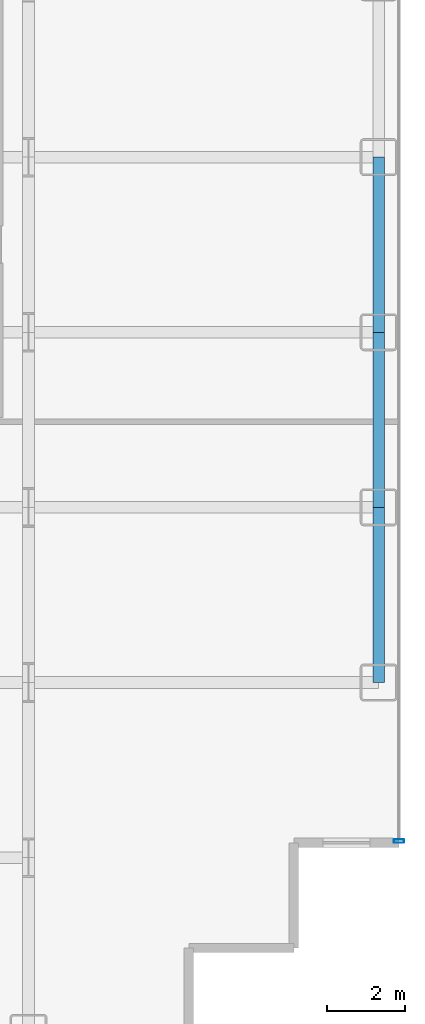
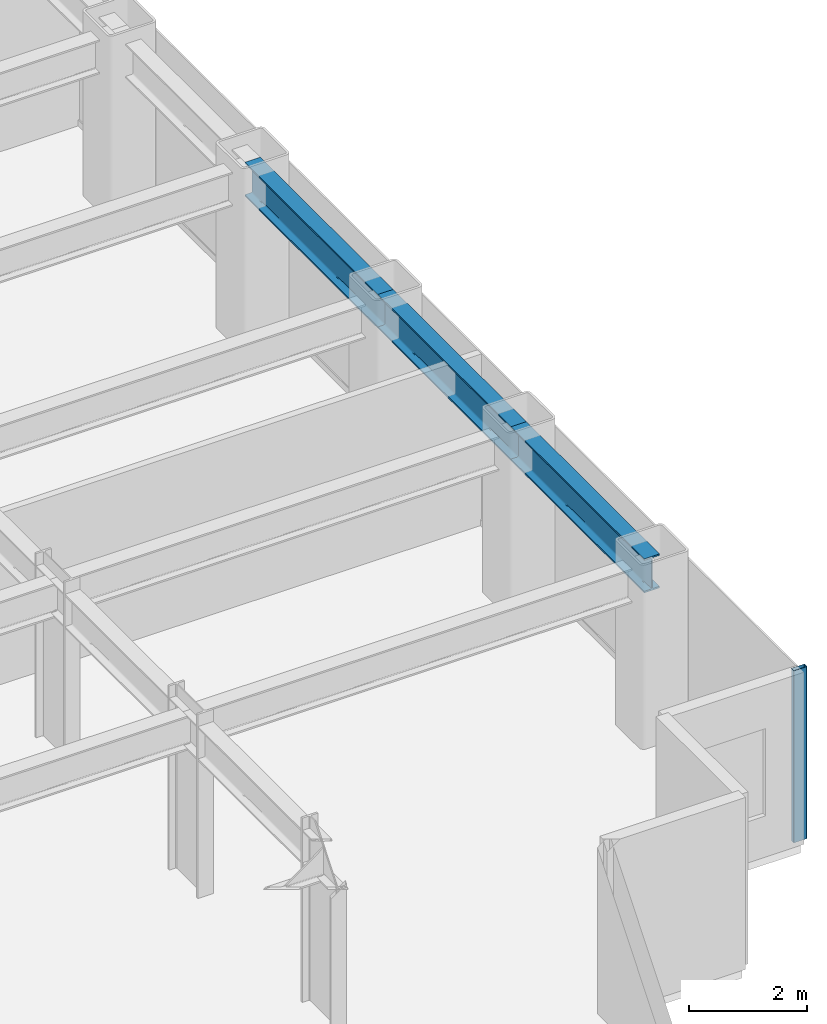
# One storey, part 16 of 26: 3 beams, 1 member, 1 element without a shape of its own.
"""IFC4 building model written with IfcOpenShell, lengths in metres."""

from ifc_helpers import new_model, si_unit, direction, frame, origin, origin_2d, place, context, subcontext, project, spatial, hollow_rectangle, i_section, extrude, source, transform, mapped, material, layer, layer_set, material_profile, profile_set, type_object, element, aggregate, save


model = new_model("IFC4")

# Units and contexts
model_context = context("Model", 3, precision=1e-05, world=origin(), true_north=direction((0.0, 1.0)))
body_context = subcontext(model_context, "Body", "Model", "MODEL_VIEW")
ifc_project = project(units=[si_unit("LENGTHUNIT", "METRE"), si_unit("AREAUNIT", "SQUARE_METRE"), si_unit("VOLUMEUNIT", "CUBIC_METRE"), si_unit("PLANEANGLEUNIT", "RADIAN"), si_unit("MASSUNIT", "GRAM", prefix="KILO")], contexts=[model_context])

# Site, building, storey
site_placement = place(None, origin())
site = spatial("IfcSite", under=ifc_project, at=site_placement, CompositionType="ELEMENT")
building_placement = place(site_placement, origin())
building = spatial("IfcBuilding", under=site, at=building_placement, Name="Nefas-Gora Pilgrimage Tower", CompositionType="ELEMENT")
storey_placement = place(building_placement, frame((0.0, 0.0, 94.60009765625)))
storey = spatial("IfcBuildingStorey", under=building, at=storey_placement, Name="L22", CompositionType="ELEMENT", Elevation=94.60009765625)

# Beams
ifc_material_1 = material(Name="Steel S355", Category="steel")
ifc_material_profile_1 = material_profile(ifc_material_1, i_section(OverallWidth=0.300048828125, OverallDepth=0.699951171875, WebThickness=0.01708984375, FlangeThickness=0.031982421875, FilletRadius=0.027099609375, at=origin_2d()), Name="HEB 700")
ifc_profile_set_1 = profile_set([ifc_material_profile_1], Name="Steel S355")
beam_type = type_object("IfcBeamType", Name="BM-SPN-HEB600", PredefinedType="SPANDREL", material=ifc_profile_set_1)
shared_shape_1 = source(origin(), body_context, "Body", "SweptSolid", [
    extrude(i_section(OverallWidth=0.300048828125, OverallDepth=0.699951171875, WebThickness=0.01708984375, FlangeThickness=0.031982421875, FilletRadius=0.027099609375, at=origin_2d()), origin(), (0.0, 0.0, 1.0), 4.5),
])
for number, where, z_axis, x_axis, name in (
    (1, (33.75, -13.5, 3.199951171875), (0.0, 1.0, 0.0), (-1.0, 0.0, 0.0), "L22 SP-01 beam"),
    (2, (33.75, -9.0, 3.199951171875), (0.0, 1.0, 0.0), (-1.0, 0.0, 0.0), "L22 SP-01 beam"),
    (3, (33.75, -4.5, 3.199951171875), (0.0, 1.0, 0.0), (-1.0, 0.0, 0.0), "L22 SP-01 beam"),
):
    element("IfcBeam", number, at=place(storey_placement, frame(where, z_axis=z_axis, x_axis=x_axis)), inside=storey, type_object=beam_type, Name=name, PredefinedType="SPANDREL", context=body_context, shape_type="MappedRepresentation", body=[
        mapped(shared_shape_1, transform((0.0, 0.0, 0.0), x_axis=(1.0, 0.0, 0.0), y_axis=(0.0, 1.0, 0.0), z_axis=(0.0, 0.0, 1.0), scale=1.0)),
    ])

# Curtain wall, member
ifc_material_2 = material(Name="Dark ceramic-fritted solar-control aluminium-glass curtain wall", Category="aluminium")
ifc_layer = layer(ifc_material_2, 0.219970703125)
ifc_layer_set = layer_set([ifc_layer], Name="Dark ceramic-fritted solar-control aluminium-glass curtain wall")
curtain_wall_type = type_object("IfcCurtainWallType", Name="CW-SYS-2", PredefinedType="NOTDEFINED", material=ifc_layer_set)
curtain_wall_placement = place(storey_placement, origin())
curtain_wall = element("IfcCurtainWall", 4, at=curtain_wall_placement, inside=storey, type_object=curtain_wall_type, Name="L22 Unitised Curtain Wall CW2", PredefinedType="NOTDEFINED")
ifc_material_3 = material(Name="Anodised architectural aluminium", Category="aluminium")
ifc_material_profile_2 = material_profile(ifc_material_3, hollow_rectangle(XDim=0.090087890625, YDim=0.260009765625, WallThickness=0.006103515625, InnerFilletRadius=0.006103515625, OuterFilletRadius=0.011962890625, at=origin_2d()), Name="ALU MULLION 90x260")
ifc_profile_set_2 = profile_set([ifc_material_profile_2], Name="Anodised architectural aluminium")
member_type = type_object("IfcMemberType", Name="CWM-MUL-2", PredefinedType="MULLION", material=ifc_profile_set_2)
shared_shape_2 = source(origin(), body_context, "Body", "SweptSolid", [
    extrude(hollow_rectangle(XDim=0.090087890625, YDim=0.260009765625, WallThickness=0.006103515625, InnerFilletRadius=0.006103515625, OuterFilletRadius=0.011962890625, at=origin_2d()), origin(), (0.0, 0.0, 1.0), 3.5498046875),
])
member_placement = place(storey_placement, frame((34.27001953125, -17.574951171875, 0.0), z_axis=(0.0, 0.0, 1.0), x_axis=(0.0, 1.0, 0.0)))
member = element("IfcMember", 5, at=member_placement, type_object=member_type, Name="CW2 Mullion 1", PredefinedType="MULLION", context=body_context, shape_type="MappedRepresentation", body=[
    mapped(shared_shape_2, transform((0.0, 0.0, 0.0), x_axis=(1.0, 0.0, 0.0), y_axis=(0.0, 1.0, 0.0), z_axis=(0.0, 0.0, 1.0), scale=1.0)),
])
aggregate(curtain_wall, [member])

save(model, "model.ifc")
